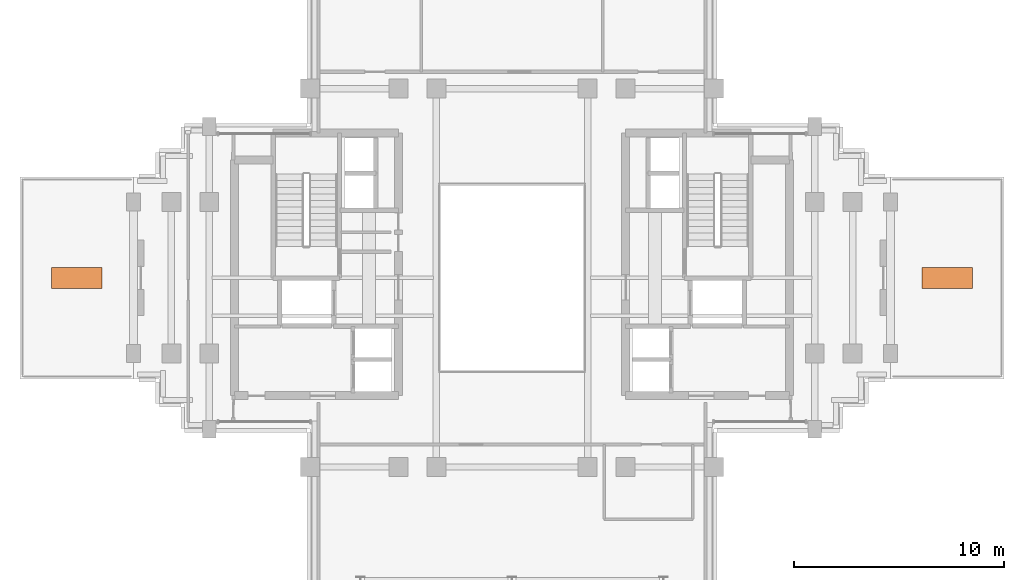
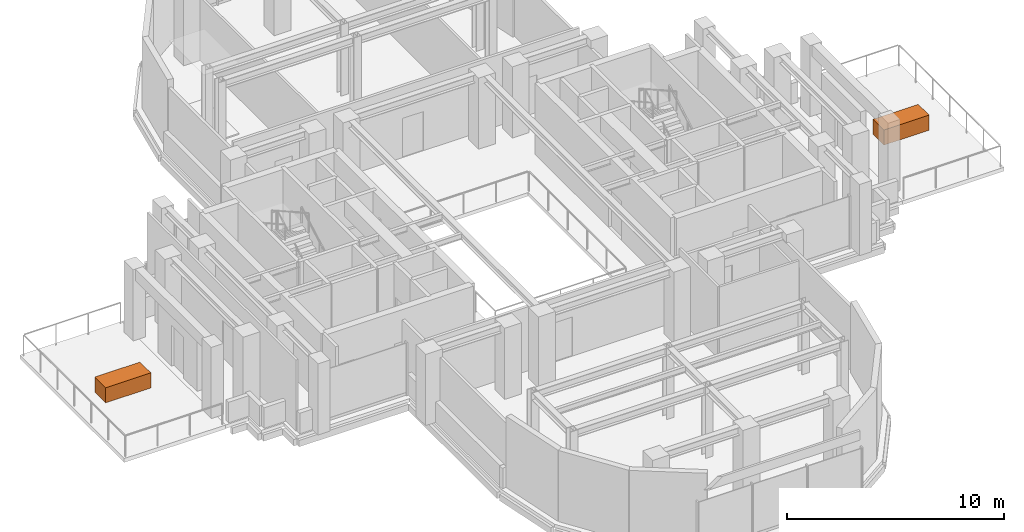
# One storey, part 12 of 12: 2 proxies.
"""IFC4 building model written with IfcOpenShell, lengths in metres."""

import ifcopenshell
import ifcopenshell.guid

model = None  # the IFC model being written
_history = None  # IfcOwnerHistory: only IFC2X3 demands one
_inside = {}  # id of a spatial element -> (the spatial element, [elements in it])
_under = {}  # id of a project, library or spatial element -> (it, [spatial elements below it])
_declared = {}  # id of a project -> (the project, [libraries it declares])
_typed = {}  # id of a type object -> (the type object, [elements of that type])
_made_of = {}  # id of a material, layer set ... -> (it, [elements and type objects made of it])


def new_model(schema):
    """Start an empty IFC model of exactly this schema.

    Asked for "IFC4X3", IfcOpenShell would pick the latest addendum, in which some entities
    have other attributes; the version numbers below select the first issue.
    IFC2X3 requires an IfcOwnerHistory on every rooted entity: one is made here for all.
    """
    global model, _history
    if schema == "IFC4X3":
        model = ifcopenshell.file(schema_version=(4, 3, 0, 0))
    else:
        model = ifcopenshell.file(schema=schema)
    _inside.clear()
    _under.clear()
    _declared.clear()
    _typed.clear()
    _made_of.clear()
    _history = None
    if model.schema == "IFC2X3":
        org = make("IfcOrganization", Name="unknown")
        user = make(
            "IfcPersonAndOrganization",
            ThePerson=make("IfcPerson", FamilyName="unknown"),
            TheOrganization=org,
        )
        app = make(
            "IfcApplication",
            ApplicationDeveloper=org,
            Version="unknown",
            ApplicationFullName="unknown",
            ApplicationIdentifier="unknown",
        )
        _history = make(
            "IfcOwnerHistory",
            OwningUser=user,
            OwningApplication=app,
            ChangeAction="ADDED",
            CreationDate=0,
        )
    return model


def make(cls, **values):
    """One entity of the class cls with the attributes given. An attribute that is None is left unset."""
    return model.create_entity(
        cls, **{name: value for name, value in values.items() if value is not None}
    )


def rooted(cls, **values):
    """An entity with a GlobalId (a new one), such as an element, a storey or a relation."""
    return make(cls, GlobalId=ifcopenshell.guid.new(), OwnerHistory=_history, **values)


def si_unit(unit_type, name, prefix=None):
    """IfcSIUnit, for example si_unit("LENGTHUNIT", "METRE", prefix="MILLI")."""
    return make("IfcSIUnit", UnitType=unit_type, Prefix=prefix, Name=name)


def assignment(units):
    """IfcUnitAssignment: the units of a project."""
    return None if units is None else make("IfcUnitAssignment", Units=units)


def point(xyz):
    """IfcCartesianPoint."""
    return None if xyz is None else make("IfcCartesianPoint", Coordinates=xyz)


def direction(xyz):
    """IfcDirection."""
    return None if xyz is None else make("IfcDirection", DirectionRatios=xyz)


def frame(location, z_axis=None, x_axis=None):
    """IfcAxis2Placement3D, a coordinate frame: its origin and axes. An axis left out is left unset."""
    return make(
        "IfcAxis2Placement3D",
        Location=point(location),
        Axis=direction(z_axis),
        RefDirection=direction(x_axis),
    )


def frame_2d(location, x_axis=None):
    """IfcAxis2Placement2D, a coordinate frame in the plane: its origin and x axis."""
    return make(
        "IfcAxis2Placement2D", Location=point(location), RefDirection=direction(x_axis)
    )


def origin():
    """The frame at (0, 0, 0) with its axes left unset."""
    return frame((0.0, 0.0, 0.0))


def origin_2d():
    """The frame at (0, 0) in the plane with its x axis left unset."""
    return frame_2d((0.0, 0.0))


def place(relative_to, where):
    """IfcLocalPlacement: puts the frame where relative to a parent placement (None: the world)."""
    return make(
        "IfcLocalPlacement", PlacementRelTo=relative_to, RelativePlacement=where
    )


def context(
    kind, dimensions, precision=None, world=None, true_north=None, identifier=None
):
    """IfcGeometricRepresentationContext, for example the 3D "Model" context."""
    return make(
        "IfcGeometricRepresentationContext",
        ContextIdentifier=identifier,
        ContextType=kind,
        CoordinateSpaceDimension=dimensions,
        Precision=precision,
        WorldCoordinateSystem=world,
        TrueNorth=true_north,
    )


def subcontext(parent, identifier, kind, view, scale=None):
    """IfcGeometricRepresentationSubContext, for example "Body" below "Model"."""
    return make(
        "IfcGeometricRepresentationSubContext",
        ContextIdentifier=identifier,
        ContextType=kind,
        ParentContext=parent,
        TargetScale=scale,
        TargetView=view,
    )


def project(units=None, contexts=None):
    """IfcProject with its units and contexts."""
    return rooted(
        "IfcProject",
        Name="project",
        RepresentationContexts=contexts,
        UnitsInContext=assignment(units),
    )


def spatial(cls, under=None, at=None, **own):
    """A site, building, storey or space (cls), placed at a placement, below another one or the project."""
    s = rooted(cls, ObjectPlacement=at, **own)
    if under is not None:
        _under.setdefault(under.id(), (under, []))[1].append(s)
    return s


def profile(cls, at=None, kind="AREA", **sizes):
    """A parametric profile (cls). Its sizes go by their IFC names, for example OverallWidth=200.0."""
    return make(cls, ProfileType=kind, Position=at, **sizes)


def rectangle(**sizes):
    """IfcRectangleProfileDef."""
    return profile("IfcRectangleProfileDef", **sizes)


def extrude(swept, where, along, depth):
    """IfcExtrudedAreaSolid: the profile swept, set in the frame where, extruded along a direction by depth."""
    return make(
        "IfcExtrudedAreaSolid",
        SweptArea=swept,
        Position=where,
        ExtrudedDirection=direction(along),
        Depth=depth,
    )


def shape(context_of_items, identifier, shape_type, items):
    """IfcShapeRepresentation: the items that make up one representation, for example the "Body"."""
    return make(
        "IfcShapeRepresentation",
        ContextOfItems=context_of_items,
        RepresentationIdentifier=identifier,
        RepresentationType=shape_type,
        Items=items,
    )


def source(mapping_origin, context_of_items, identifier, shape_type, items):
    """IfcRepresentationMap: a shape defined once, which mapped items show again and again."""
    return make(
        "IfcRepresentationMap",
        MappingOrigin=mapping_origin,
        MappedRepresentation=shape(context_of_items, identifier, shape_type, items),
    )


def transform(
    local_origin,
    x_axis=None,
    y_axis=None,
    z_axis=None,
    scale=None,
    scale2=None,
    scale3=None,
    uniform=True,
):
    """IfcCartesianTransformationOperator3D, or its non-uniform kind. x_axis, y_axis, z_axis: its Axis1, 2, 3."""
    if uniform:
        return make(
            "IfcCartesianTransformationOperator3D",
            Axis1=direction(x_axis),
            Axis2=direction(y_axis),
            LocalOrigin=point(local_origin),
            Scale=scale,
            Axis3=direction(z_axis),
        )
    return make(
        "IfcCartesianTransformationOperator3DnonUniform",
        Axis1=direction(x_axis),
        Axis2=direction(y_axis),
        LocalOrigin=point(local_origin),
        Scale=scale,
        Axis3=direction(z_axis),
        Scale2=scale2,
        Scale3=scale3,
    )


def mapped(mapping_source, mapping_target):
    """IfcMappedItem: shows the shape of a source again, moved by a transform."""
    return make(
        "IfcMappedItem", MappingSource=mapping_source, MappingTarget=mapping_target
    )


def material(Name=None, Category=None):
    """IfcMaterial."""
    return make("IfcMaterial", Name=Name, Category=Category)


def made_of(thing, what):
    """Note that an element or type object is made of a material, layer set ...; save() writes the relation."""
    if what is not None:
        _made_of.setdefault(what.id(), (what, []))[1].append(thing)
    return thing


def type_object(cls, material=None, **own):
    """A type object (cls), such as IfcWallType, which elements share."""
    return made_of(rooted(cls, **own), material)


def element(
    cls,
    number,
    at=None,
    inside=None,
    cuts=None,
    type_object=None,
    material=None,
    context=None,
    identifier="Body",
    shape_type=None,
    held_by="IfcProductDefinitionShape",
    body=None,
    shapes=None,
    **own,
):
    """One element of the class cls, such as IfcWall. Its Tag is "e" and its number.

    at: its placement. inside: the storey or other place that contains it. cuts: it is an
    opening in that element (IfcRelVoidsElement). A single representation is given by context,
    identifier, shape_type and body (its items); several are given by shapes. held_by: the class
    of the entity that holds the representations. save() writes the other relations.
    """
    e = rooted(cls, Tag="e%d" % number, ObjectPlacement=at, **own)
    if body is not None:
        shapes = [shape(context, identifier, shape_type, body)]
    if shapes is not None:
        e.Representation = make(held_by, Representations=shapes)
    if inside is not None:
        _inside.setdefault(inside.id(), (inside, []))[1].append(e)
    if cuts is not None:
        rooted(
            "IfcRelVoidsElement", RelatingBuildingElement=cuts, RelatedOpeningElement=e
        )
    if type_object is not None:
        _typed.setdefault(type_object.id(), (type_object, []))[1].append(e)
    return made_of(e, material)


def aggregate(whole, parts):
    """IfcRelAggregates: a whole, such as a stair, and the parts it consists of."""
    return rooted("IfcRelAggregates", RelatingObject=whole, RelatedObjects=parts)


def save(model, path):
    """Write the relations noted so far, then the file.

    IfcRelAggregates (storeys below a building ...), IfcRelContainedInSpatialStructure (elements
    in a storey), IfcRelDefinesByType, IfcRelAssociatesMaterial and IfcRelDeclares: one each for
    every whole, place, type object, material and project.
    """
    for whole, parts in _under.values():
        aggregate(whole, parts)
    for where, things in _inside.values():
        rooted(
            "IfcRelContainedInSpatialStructure",
            RelatedElements=things,
            RelatingStructure=where,
        )
    for kind, things in _typed.values():
        rooted("IfcRelDefinesByType", RelatedObjects=things, RelatingType=kind)
    for what, things in _made_of.values():
        rooted("IfcRelAssociatesMaterial", RelatedObjects=things, RelatingMaterial=what)
    for by, libraries in _declared.values():
        rooted("IfcRelDeclares", RelatingContext=by, RelatedDefinitions=libraries)
    model.write(path)


model = new_model("IFC4")

# Units and contexts
model_context = context("Model", 3, precision=1e-05, world=origin(), true_north=direction((0.0, 1.0)))
body_context = subcontext(model_context, "Body", "Model", "MODEL_VIEW")
ifc_project = project(units=[si_unit("LENGTHUNIT", "METRE"), si_unit("AREAUNIT", "SQUARE_METRE"), si_unit("VOLUMEUNIT", "CUBIC_METRE"), si_unit("PLANEANGLEUNIT", "RADIAN"), si_unit("MASSUNIT", "GRAM", prefix="KILO")], contexts=[model_context])

# Site, building, storey
site_placement = place(None, origin())
site = spatial("IfcSite", under=ifc_project, at=site_placement, CompositionType="ELEMENT")
building_placement = place(site_placement, origin())
building = spatial("IfcBuilding", under=site, at=building_placement, Name="Keilestroom Media Tower", CompositionType="ELEMENT")
storey_placement = place(building_placement, frame((0.0, 0.0, 156.199951171875)))
storey = spatial("IfcBuildingStorey", under=building, at=storey_placement, Name="L42", CompositionType="ELEMENT", Elevation=156.199951171875)

# Proxies
ifc_material = material(Name="Precast concrete C40/50", Category="concrete")
building_element_proxy_type = type_object("IfcBuildingElementProxyType", Name="Sky-Garden-Planter-Box-PRX-1", PredefinedType="USERDEFINED", material=ifc_material)
shared_shape = source(origin(), body_context, "Body", "SweptSolid", [
    extrude(rectangle(XDim=2.39990234375, YDim=1.0, at=origin_2d()), origin(), (0.0, 0.0, 1.0), 0.85009765625),
])
for number, where, z_axis, x_axis, name in (
    (1, (-20.699951171875, 0.0, 0.0), (0.0, 0.0, 1.0), (1.0, 0.0, 0.0), "L42 Sky-Garden Planter Box SG42-W"),
    (2, (20.699951171875, 0.0, 0.0), (0.0, 0.0, 1.0), (1.0, 0.0, 0.0), "L42 Sky-Garden Planter Box SG42-E"),
):
    element("IfcBuildingElementProxy", number, at=place(storey_placement, frame(where, z_axis=z_axis, x_axis=x_axis)), inside=storey, type_object=building_element_proxy_type, Name=name, ObjectType="PLANTER", PredefinedType="USERDEFINED", context=body_context, shape_type="MappedRepresentation", body=[
        mapped(shared_shape, transform((0.0, 0.0, 0.0), x_axis=(1.0, 0.0, 0.0), y_axis=(0.0, 1.0, 0.0), z_axis=(0.0, 0.0, 1.0), scale=1.0)),
    ])

save(model, "model.ifc")
